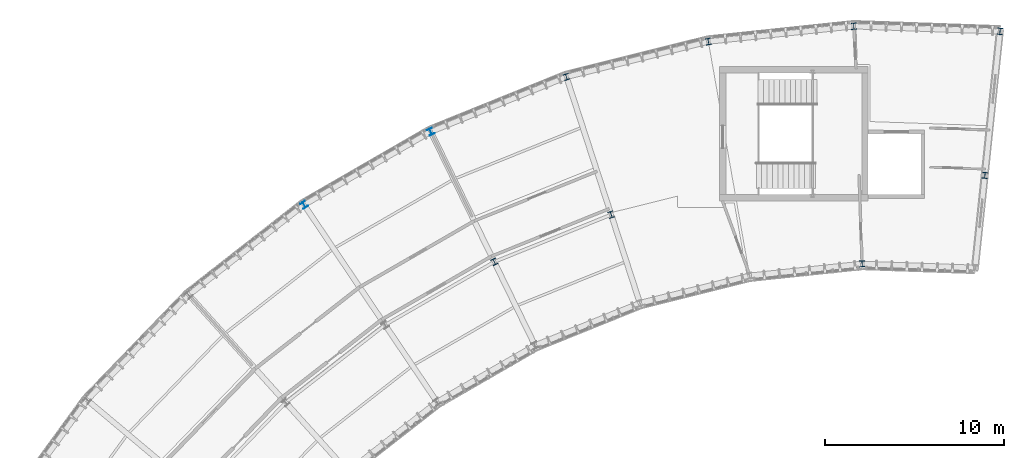
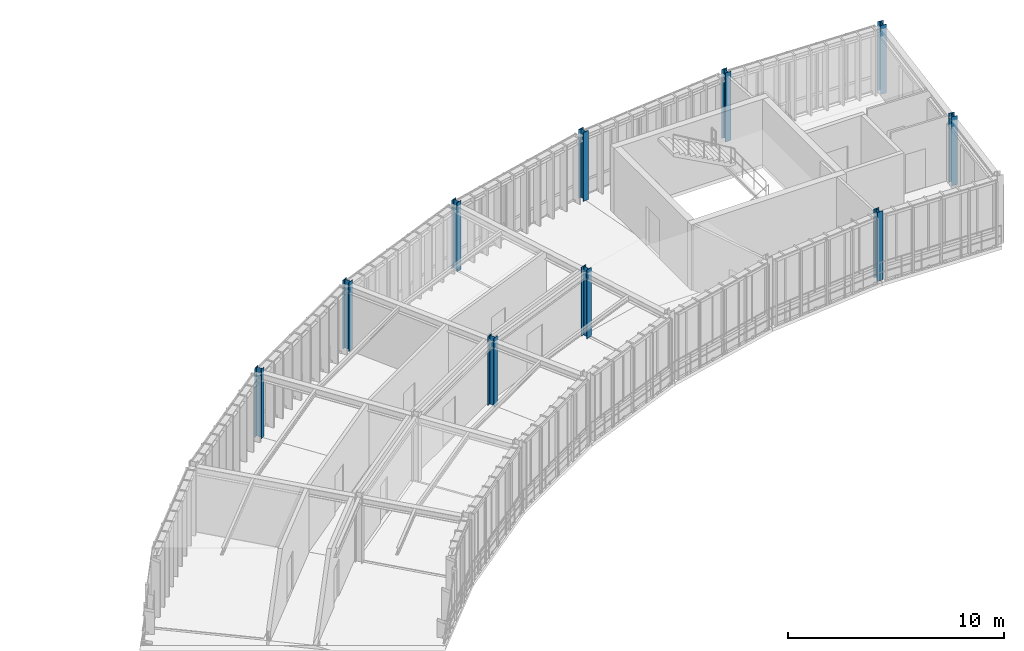
# One storey, part 6 of 41: 10 columns.
"""IFC4 building model written with IfcOpenShell, lengths in metres."""

from ifc_helpers import new_model, si_unit, direction, frame, origin, origin_2d, place, context, subcontext, project, spatial, i_section, extrude, material, material_profile, profile_set, type_object, element, save


model = new_model("IFC4")

# Units and contexts
model_context = context("Model", 3, precision=1e-05, world=origin(), true_north=direction((0.0, 1.0)))
body_context = subcontext(model_context, "Body", "Model", "MODEL_VIEW")
ifc_project = project(units=[si_unit("LENGTHUNIT", "METRE"), si_unit("AREAUNIT", "SQUARE_METRE"), si_unit("VOLUMEUNIT", "CUBIC_METRE"), si_unit("PLANEANGLEUNIT", "RADIAN"), si_unit("MASSUNIT", "GRAM", prefix="KILO"), si_unit("THERMODYNAMICTEMPERATUREUNIT", "KELVIN"), si_unit("POWERUNIT", "WATT")], contexts=[model_context])

# Site, building, storey
site_placement = place(None, origin())
site = spatial("IfcSite", under=ifc_project, at=site_placement, CompositionType="ELEMENT")
building_placement = place(site_placement, origin())
building = spatial("IfcBuilding", under=site, at=building_placement, Name="Solvatero Civic Police Headquarters", CompositionType="ELEMENT")
storey_placement = place(building_placement, frame((0.0, 0.0, 17.699951171875)))
storey = spatial("IfcBuildingStorey", under=building, at=storey_placement, Name="L04", CompositionType="ELEMENT", Elevation=17.699951171875)

# Columns
ifc_material = material(Name="Steel S355", Category="steel")
ifc_material_profile_1 = material_profile(ifc_material, i_section(OverallWidth=0.300048828125, OverallDepth=0.340087890625, WebThickness=0.011962890625, FlangeThickness=0.021484375, FilletRadius=0.027099609375, at=origin_2d()), Name="HEB 340")
ifc_profile_set_1 = profile_set([ifc_material_profile_1], Name="Steel S355")
column_type_1 = type_object("IfcColumnType", Name="COL-ST-HEB340", PredefinedType="COLUMN", material=ifc_profile_set_1)
for number, where, z_axis, x_axis, name in (
    (1, (99.283935546875, 76.273193359375, 0.0), (0.0, 0.0, 1.0), (0.994521895368, -0.104528463268, 0.0), "Column ARC-S00-MID L04"),
    (2, (92.417236328125, 71.322509765625, 0.0), (0.0, 0.0, 1.0), (0.999390827019, 0.034899496703, 0.0), "Column ARC-S01-IN L04"),
    (3, (75.876220703125, 81.779541015625, 0.0), (0.0, 0.0, 1.0), (0.951056516295, 0.309016994375, 0.0), "Column ARC-S03-OUT L04"),
    (4, (71.84033203125, 71.43408203125, 0.0), (0.0, 0.0, 1.0), (0.898794046299, 0.438371146789, 0.0), "Column ARC-S04-MID L04"),
    (5, (61.203369140625, 74.623046875, 0.0), (0.0, 0.0, 1.0), (0.829037572555, 0.559192903471, 0.0), "Column ARC-S05-OUT L04"),
):
    element("IfcColumn", number, at=place(storey_placement, frame(where, z_axis=z_axis, x_axis=x_axis)), inside=storey, type_object=column_type_1, Name=name, PredefinedType="COLUMN", context=body_context, shape_type="SweptSolid", body=[
        extrude(i_section(OverallWidth=0.300048828125, OverallDepth=0.340087890625, WebThickness=0.011962890625, FlangeThickness=0.021484375, FilletRadius=0.027099609375, at=origin_2d()), origin(), (0.0, 0.0, 1.0), 3.900146484375),
    ])
ifc_material_profile_2 = material_profile(ifc_material, i_section(OverallWidth=0.300048828125, OverallDepth=0.360107421875, WebThickness=0.012451171875, FlangeThickness=0.0224609375, FilletRadius=0.027099609375, at=origin_2d()), Name="HEB 360")
ifc_profile_set_2 = profile_set([ifc_material_profile_2], Name="Steel S355")
column_type_2 = type_object("IfcColumnType", Name="COL-ST-HEB360", PredefinedType="COLUMN", material=ifc_profile_set_2)
for number, where, z_axis, x_axis, name in (
    (6, (100.130615234375, 84.32861328125, 0.0), (0.0, 0.0, 1.0), (0.994521895368, -0.104528463268, 0.0), "Column ARC-S00-OUT L04"),
    (7, (91.953125, 84.6142578125, 0.0), (0.0, 0.0, 1.0), (0.999390827019, 0.034899496703, 0.0), "Column ARC-S01-OUT L04"),
    (8, (83.8154296875, 83.759033203125, 0.0), (0.0, 0.0, 1.0), (0.984807753012, 0.173648177667, 0.0), "Column ARC-S02-OUT L04"),
    (9, (78.379150390625, 74.075927734375, 0.0), (0.0, 0.0, 1.0), (0.951056516295, 0.309016994375, 0.0), "Column ARC-S03-MID L04"),
    (10, (68.28955078125, 78.71435546875, 0.0), (0.0, 0.0, 1.0), (0.898794046299, 0.438371146789, 0.0), "Column ARC-S04-OUT L04"),
):
    element("IfcColumn", number, at=place(storey_placement, frame(where, z_axis=z_axis, x_axis=x_axis)), inside=storey, type_object=column_type_2, Name=name, PredefinedType="COLUMN", context=body_context, shape_type="SweptSolid", body=[
        extrude(i_section(OverallWidth=0.300048828125, OverallDepth=0.360107421875, WebThickness=0.012451171875, FlangeThickness=0.0224609375, FilletRadius=0.027099609375, at=origin_2d()), origin(), (0.0, 0.0, 1.0), 3.900146484375),
    ])

save(model, "model.ifc")
